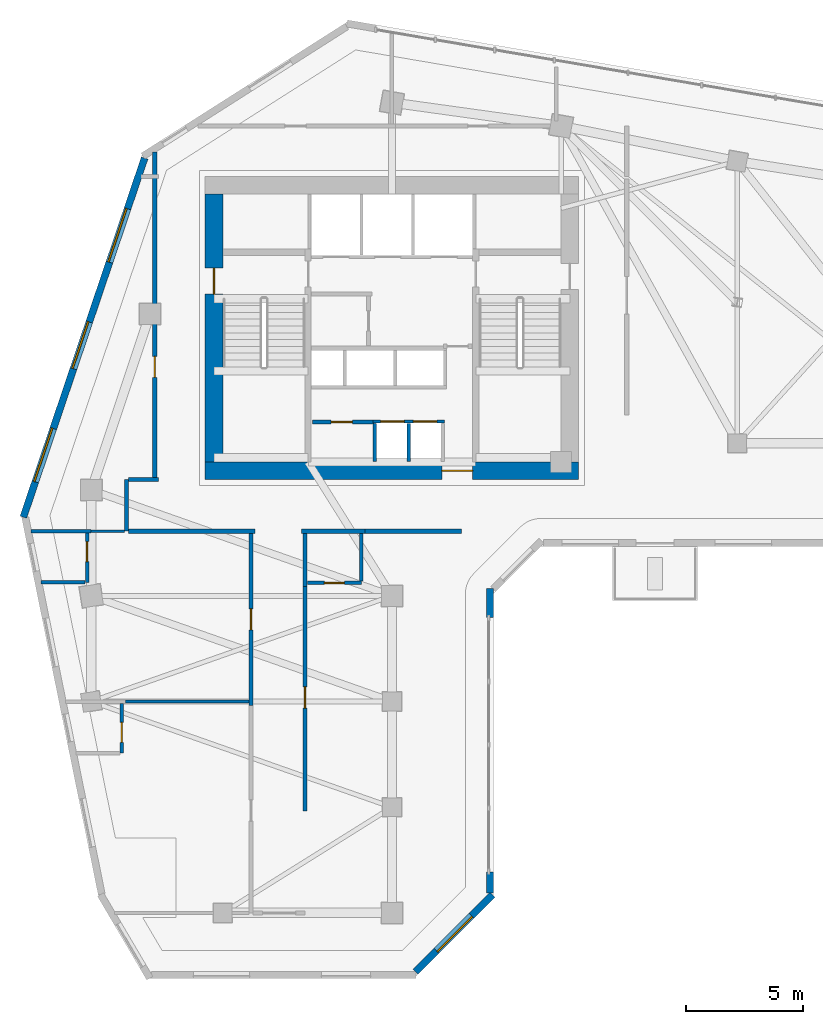
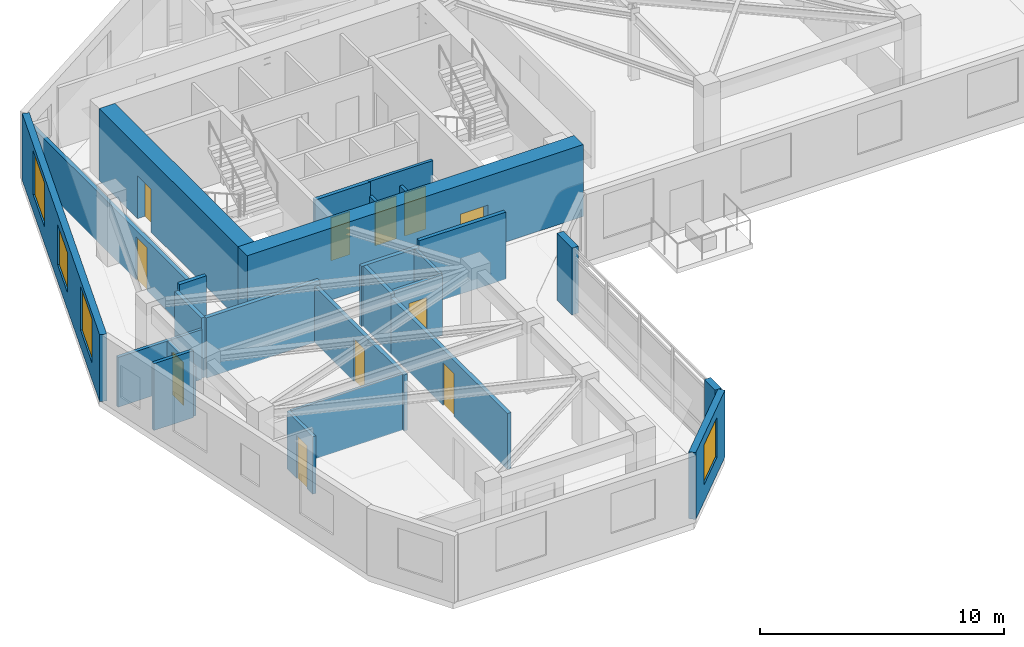
# One storey, part 5 of 10: 27 walls, 11 doors, 4 windows, 15 openings.
"""IFC4 building model written with IfcOpenShell, lengths in metres."""

from ifc_helpers import new_model, si_unit, direction, frame, frame_2d, origin, place, context, subcontext, project, spatial, rectangle, extrude, source, transform, mapped, material, layer, layer_set, type_object, element, fill, save


model = new_model("IFC4")

# Units and contexts
model_context = context("Model", 3, precision=1e-05, world=origin(), true_north=direction((0.0, 1.0)))
body_context = subcontext(model_context, "Body", "Model", "MODEL_VIEW")
ifc_project = project(units=[si_unit("LENGTHUNIT", "METRE"), si_unit("AREAUNIT", "SQUARE_METRE"), si_unit("VOLUMEUNIT", "CUBIC_METRE"), si_unit("PLANEANGLEUNIT", "RADIAN"), si_unit("MASSUNIT", "GRAM", prefix="KILO")], contexts=[model_context])

# Site, building, storey
site_placement = place(None, origin())
site = spatial("IfcSite", under=ifc_project, at=site_placement, CompositionType="ELEMENT")
building_placement = place(site_placement, origin())
building = spatial("IfcBuilding", under=site, at=building_placement, Name="Calvemar Wedge Station Tower", CompositionType="ELEMENT")
storey_placement = place(building_placement, frame((0.0, 0.0, 139.39990234375)))
storey = spatial("IfcBuildingStorey", under=building, at=storey_placement, Name="L34", CompositionType="ELEMENT", Elevation=139.39990234375)

# Wall, opening, door
ifc_material_1 = material(Name="Concrete C70", Category="concrete")
ifc_layer_1 = layer(ifc_material_1, 0.75)
ifc_layer_set_1 = layer_set([ifc_layer_1], Name="Concrete C70")
wall_type_1 = type_object("IfcWallType", Name="SW-CORE-750", PredefinedType="SHEAR", material=ifc_layer_set_1)
wall_1_placement = place(storey_placement, frame((15.85009765625, 33.824951171875, 0.0), z_axis=(0.0, 0.0, 1.0), x_axis=(1.0, 0.0, 0.0)))
wall_1 = element("IfcWall", 1, at=wall_1_placement, inside=storey, type_object=wall_type_1, Name="Storey L34 Core Shear Wall S", PredefinedType="SHEAR", context=body_context, shape_type="SweptSolid", body=[
    extrude(rectangle(XDim=15.89990234375, YDim=0.75, at=frame_2d((7.949951171875, 0.0))), origin(), (0.0, 0.0, 1.0), 3.60009765625),
])
shared_shape_1 = source(origin(), body_context, "Body", "SweptSolid", [
    extrude(rectangle(XDim=1.300048828125, YDim=2.14990234375, at=frame_2d((0.64990234375, 1.074951171875))), frame((0.0, 0.385009765625, 0.0), z_axis=(0.0, -1.0, 0.0), x_axis=(1.0, 0.0, 0.0)), (0.0, 0.0, 1.0), 0.77001953125),
])
opening_1_placement = place(wall_1_placement, frame((10.080078125, 0.0, 0.0)))
opening_1 = element("IfcOpeningElement", 2, at=opening_1_placement, cuts=wall_1, Name="Opening DD-130", PredefinedType="OPENING", context=body_context, shape_type="MappedRepresentation", body=[
    mapped(shared_shape_1, transform((0.0, 0.0, 0.0), scale=1.0)),
])
ifc_material_2 = material(Name="Double-leaf lift lobby fire door EI 60")
door_type_1 = type_object("IfcDoorType", Name="DR-DBL-1300", OperationType="DOUBLE_DOOR_SINGLE_SWING", PredefinedType="DOOR", material=ifc_material_2)
shared_shape_2 = source(origin(), body_context, "Body", "SweptSolid", [
    extrude(rectangle(XDim=1.300048828125, YDim=2.14990234375, at=frame_2d((0.64990234375, 1.074951171875))), frame((0.0, 0.02490234375, 0.0), z_axis=(0.0, -1.0, 0.0), x_axis=(1.0, 0.0, 0.0)), (0.0, 0.0, 1.0), 0.050048828125),
])
door_1_placement = place(opening_1_placement, origin())
door_1 = element("IfcDoor", 3, at=door_1_placement, inside=storey, type_object=door_type_1, Name="L34 Passenger Lift Lobby Door", OperationType="DOUBLE_DOOR_SINGLE_SWING", OverallHeight=2.14990234375, OverallWidth=1.300048828125, PredefinedType="DOOR", context=body_context, shape_type="MappedRepresentation", body=[
    mapped(shared_shape_2, transform((0.0, 0.0, 0.0), scale=1.0)),
])
fill(opening_1, door_1)

wall_2_placement = place(storey_placement, frame((16.22509765625, 34.199951171875, 0.0), z_axis=(0.0, 0.0, 1.0), x_axis=(0.0, 1.0, 0.0)))
wall_2 = element("IfcWall", 4, at=wall_2_placement, inside=storey, type_object=wall_type_1, Name="Storey L34 Core Shear Wall W", PredefinedType="SHEAR", context=body_context, shape_type="SweptSolid", body=[
    extrude(rectangle(XDim=11.400146484375, YDim=0.75, at=frame_2d((5.7001953125, 0.0))), origin(), (0.0, 0.0, 1.0), 3.60009765625),
])
shared_shape_3 = source(origin(), body_context, "Body", "SweptSolid", [
    extrude(rectangle(XDim=1.10009765625, YDim=2.14990234375, at=frame_2d((0.550048828125, 1.074951171875))), frame((0.0, 0.385009765625, 0.0), z_axis=(0.0, -1.0, 0.0), x_axis=(1.0, 0.0, 0.0)), (0.0, 0.0, 1.0), 0.77001953125),
])
opening_2_placement = place(wall_2_placement, frame((7.14990234375, 0.0, 0.0)))
opening_2 = element("IfcOpeningElement", 5, at=opening_2_placement, cuts=wall_2, Name="Opening FD-90", PredefinedType="OPENING", context=body_context, shape_type="MappedRepresentation", body=[
    mapped(shared_shape_3, transform((0.0, 0.0, 0.0), scale=1.0)),
])
ifc_material_3 = material(Name="Galvanized fire-rated steel door leaf P-90", Category="steel")
door_type_2 = type_object("IfcDoorType", Name="DR-FD90-1100", OperationType="NOTDEFINED", PredefinedType="DOOR", material=ifc_material_3)
shared_shape_4 = source(origin(), body_context, "Body", "SweptSolid", [
    extrude(rectangle(XDim=1.10009765625, YDim=2.14990234375, at=frame_2d((0.550048828125, 1.074951171875))), frame((0.0, 0.02490234375, 0.0), z_axis=(0.0, -1.0, 0.0), x_axis=(1.0, 0.0, 0.0)), (0.0, 0.0, 1.0), 0.050048828125),
])
door_2_placement = place(opening_2_placement, origin())
door_2 = element("IfcDoor", 6, at=door_2_placement, inside=storey, type_object=door_type_2, Name="L34 West Corridor to Exit Stair ST-C1 Door", OperationType="SINGLE_SWING_RIGHT", OverallHeight=2.14990234375, OverallWidth=1.10009765625, PredefinedType="DOOR", context=body_context, shape_type="MappedRepresentation", body=[
    mapped(shared_shape_4, transform((0.0, 0.0, 0.0), scale=1.0)),
])
fill(opening_2, door_2)

ifc_material_4 = material(Name="Double-stud fire-rated corridor partition")
ifc_layer_2 = layer(ifc_material_4, 0.179931640625)
ifc_layer_set_2 = layer_set([ifc_layer_2], Name="Double-stud fire-rated corridor partition")
wall_type_2 = type_object("IfcWallType", Name="W-CORR-180", PredefinedType="PARTITIONING", material=ifc_layer_set_2)
wall_3_placement = place(storey_placement, frame((20.419921875, 35.89990234375, 0.0), z_axis=(0.0, 0.0, 1.0), x_axis=(1.0, 0.0, 0.0)))
wall_3 = element("IfcWall", 7, at=wall_3_placement, inside=storey, type_object=wall_type_2, Name="Storey L34 Interior Partition WL-L34-004", PredefinedType="PARTITIONING", context=body_context, shape_type="SweptSolid", body=[
    extrude(rectangle(XDim=2.6201171875, YDim=0.179931640625, at=frame_2d((1.31005859375, 0.0))), origin(), (0.0, 0.0, 1.0), 3.35009765625),
])
shared_shape_5 = source(origin(), body_context, "Body", "SweptSolid", [
    extrude(rectangle(XDim=0.89990234375, YDim=2.14990234375, at=frame_2d((0.449951171875, 1.074951171875))), frame((0.0, 0.10009765625, 0.0), z_axis=(0.0, -1.0, 0.0), x_axis=(1.0, 0.0, 0.0)), (0.0, 0.0, 1.0), 0.199951171875),
])
opening_3_placement = place(wall_3_placement, frame((0.795654296875, 0.0, 0.0)))
opening_3 = element("IfcOpeningElement", 8, at=opening_3_placement, cuts=wall_3, Name="Opening FD-60", PredefinedType="OPENING", context=body_context, shape_type="MappedRepresentation", body=[
    mapped(shared_shape_5, transform((0.0, 0.0, 0.0), scale=1.0)),
])
ifc_material_5 = material(Name="Fire-rated acoustic timber-core entrance door EI 60", Category="wood")
door_type_3 = type_object("IfcDoorType", Name="DR-FD60-900", OperationType="NOTDEFINED", PredefinedType="DOOR", material=ifc_material_5)
shared_shape_6 = source(origin(), body_context, "Body", "SweptSolid", [
    extrude(rectangle(XDim=0.89990234375, YDim=2.14990234375, at=frame_2d((0.449951171875, 1.074951171875))), frame((0.0, 0.02490234375, 0.0), z_axis=(0.0, -1.0, 0.0), x_axis=(1.0, 0.0, 0.0)), (0.0, 0.0, 1.0), 0.050048828125),
])
door_3_placement = place(opening_3_placement, origin())
door_3 = element("IfcDoor", 9, at=door_3_placement, inside=storey, type_object=door_type_3, Name="L34 Housekeeping Store Door", OperationType="SINGLE_SWING_RIGHT", OverallHeight=2.14990234375, OverallWidth=0.89990234375, PredefinedType="DOOR", context=body_context, shape_type="MappedRepresentation", body=[
    mapped(shared_shape_6, transform((0.0, 0.0, 0.0), scale=1.0)),
])
fill(opening_3, door_3)

# Walls
wall_4_placement = place(storey_placement, frame((12.5, 31.25, 0.0), z_axis=(0.0, 0.0, 1.0), x_axis=(0.0, 1.0, 0.0)))
element("IfcWall", 10, at=wall_4_placement, inside=storey, type_object=wall_type_2, Name="Storey L34 Interior Partition WL-L34-005", PredefinedType="PARTITIONING", context=body_context, shape_type="SweptSolid", body=[
    extrude(rectangle(XDim=2.199951171875, YDim=0.179931640625, at=frame_2d((1.10009765625, 0.0))), origin(), (0.0, 0.0, 1.0), 3.01904296875),
])
wall_5_placement = place(storey_placement, frame((12.593994140625, 33.449951171875, 0.0), z_axis=(0.0, 0.0, 1.0), x_axis=(1.0, 0.0, 0.0)))
element("IfcWall", 11, at=wall_5_placement, inside=storey, type_object=wall_type_2, Name="Storey L34 Interior Partition WL-L34-006", PredefinedType="PARTITIONING", context=body_context, shape_type="SweptSolid", body=[
    extrude(rectangle(XDim=1.26611328125, YDim=0.179931640625, at=frame_2d((0.633056640625, 0.0))), origin(), (0.0, 0.0, 1.0), 3.35009765625),
])
wall_6_placement = place(storey_placement, frame((17.9599609375, 31.25, 0.0), z_axis=(0.0, 0.0, 1.0), x_axis=(-1.0, 0.0, 0.0)))
element("IfcWall", 12, at=wall_6_placement, inside=storey, type_object=wall_type_2, Name="Storey L34 Interior Partition WL-L34-007", PredefinedType="PARTITIONING", context=body_context, shape_type="SweptSolid", body=[
    extrude(rectangle(XDim=5.365966796875, YDim=0.179931640625, at=frame_2d((2.68310546875, 0.0))), origin(), (0.0, 0.0, 1.0), 3.01904296875),
])
wall_7_placement = place(storey_placement, frame((22.659912109375, 31.25, 0.0), z_axis=(0.0, 0.0, 1.0), x_axis=(-1.0, 0.0, 0.0)))
element("IfcWall", 13, at=wall_7_placement, inside=storey, type_object=wall_type_2, Name="Storey L34 Interior Partition WL-L34-008", PredefinedType="PARTITIONING", context=body_context, shape_type="SweptSolid", body=[
    extrude(rectangle(XDim=2.719970703125, YDim=0.179931640625, at=frame_2d((1.35986328125, 0.0))), origin(), (0.0, 0.0, 1.0), 3.01904296875),
])
wall_8_placement = place(storey_placement, frame((26.760009765625, 31.25, 0.0), z_axis=(0.0, 0.0, 1.0), x_axis=(-1.0, 0.0, 0.0)))
element("IfcWall", 14, at=wall_8_placement, inside=storey, type_object=wall_type_2, Name="Storey L34 Interior Partition WL-L34-009", PredefinedType="PARTITIONING", context=body_context, shape_type="SweptSolid", body=[
    extrude(rectangle(XDim=4.097900390625, YDim=0.179931640625, at=frame_2d((2.048828125, 0.0))), origin(), (0.0, 0.0, 1.0), 3.35009765625),
])

# Wall, opening, door
wall_9_placement = place(storey_placement, frame((13.699951171875, 33.5439453125, 0.0), z_axis=(0.0, 0.0, 1.0), x_axis=(0.0, 1.0, 0.0)))
wall_9 = element("IfcWall", 15, at=wall_9_placement, inside=storey, type_object=wall_type_2, Name="Storey L34 Interior Partition WL-L34-010", PredefinedType="PARTITIONING", context=body_context, shape_type="SweptSolid", body=[
    extrude(rectangle(XDim=13.860107421875, YDim=0.179931640625, at=frame_2d((6.93017578125, 0.0))), origin(), (0.0, 0.0, 1.0), 2.4921875),
])
opening_4_placement = place(wall_9_placement, frame((4.252685546875, 0.0, 0.0)))
opening_4 = element("IfcOpeningElement", 16, at=opening_4_placement, cuts=wall_9, Name="Opening D-01", PredefinedType="OPENING", context=body_context, shape_type="MappedRepresentation", body=[
    mapped(shared_shape_5, transform((0.0, 0.0, 0.0), scale=1.0)),
])
ifc_material_6 = material(Name="Architectural hardwood acoustic swing door", Category="wood")
door_type_4 = type_object("IfcDoorType", Name="DR-INT-900", OperationType="NOTDEFINED", PredefinedType="DOOR", material=ifc_material_6)
shared_shape_7 = source(origin(), body_context, "Body", "SweptSolid", [
    extrude(rectangle(XDim=0.89990234375, YDim=2.14990234375, at=frame_2d((0.449951171875, 1.074951171875))), frame((0.0, 0.02490234375, 0.0), z_axis=(0.0, -1.0, 0.0), x_axis=(1.0, 0.0, 0.0)), (0.0, 0.0, 1.0), 0.050048828125),
])
door_4_placement = place(opening_4_placement, origin())
door_4 = element("IfcDoor", 17, at=door_4_placement, inside=storey, type_object=door_type_4, Name="L34 Executive Lounge Door", OperationType="SINGLE_SWING_LEFT", OverallHeight=2.14990234375, OverallWidth=0.89990234375, PredefinedType="DOOR", context=body_context, shape_type="MappedRepresentation", body=[
    mapped(shared_shape_7, transform((0.0, 0.0, 0.0), scale=1.0)),
])
fill(opening_4, door_4)

wall_10_placement = place(storey_placement, frame((17.800048828125, 23.840087890625, 0.0), z_axis=(0.0, 0.0, 1.0), x_axis=(0.0, 1.0, 0.0)))
wall_10 = element("IfcWall", 18, at=wall_10_placement, inside=storey, type_object=wall_type_2, Name="Storey L34 Interior Partition WL-L34-022", PredefinedType="PARTITIONING", context=body_context, shape_type="SweptSolid", body=[
    extrude(rectangle(XDim=7.31591796875, YDim=0.179931640625, at=frame_2d((3.657958984375, 0.0))), origin(), (0.0, 0.0, 1.0), 2.802978515625),
])
opening_5_placement = place(wall_10_placement, frame((3.2080078125, 0.0, 0.0)))
opening_5 = element("IfcOpeningElement", 19, at=opening_5_placement, cuts=wall_10, Name="Opening FD-60", PredefinedType="OPENING", context=body_context, shape_type="MappedRepresentation", body=[
    mapped(shared_shape_5, transform((0.0, 0.0, 0.0), scale=1.0)),
])
door_5_placement = place(opening_5_placement, origin())
door_5 = element("IfcDoor", 20, at=door_5_placement, inside=storey, type_object=door_type_3, Name="L34 Hotel Suite Door", OperationType="SINGLE_SWING_RIGHT", OverallHeight=2.14990234375, OverallWidth=0.89990234375, PredefinedType="DOOR", context=body_context, shape_type="MappedRepresentation", body=[
    mapped(shared_shape_6, transform((0.0, 0.0, 0.0), scale=1.0)),
])
fill(opening_5, door_5)

# Wall
wall_11_placement = place(storey_placement, frame((20.10009765625, 31.156005859375, 0.0), z_axis=(0.0, 0.0, 1.0), x_axis=(0.0, -1.0, 0.0)))
element("IfcWall", 21, at=wall_11_placement, inside=storey, type_object=wall_type_2, Name="Storey L34 Interior Partition WL-L34-024", PredefinedType="PARTITIONING", context=body_context, shape_type="SweptSolid", body=[
    extrude(rectangle(XDim=2.26611328125, YDim=0.179931640625, at=frame_2d((1.133056640625, 0.0))), origin(), (0.0, 0.0, 1.0), 3.01904296875),
])

# Wall, opening, door
wall_12_placement = place(storey_placement, frame((20.10009765625, 28.887939453125, 0.0), z_axis=(0.0, 0.0, 1.0), x_axis=(0.0, -1.0, 0.0)))
wall_12 = element("IfcWall", 22, at=wall_12_placement, inside=storey, type_object=wall_type_2, Name="Storey L34 Interior Partition WL-L34-025", PredefinedType="PARTITIONING", context=body_context, shape_type="SweptSolid", body=[
    extrude(rectangle(XDim=9.5478515625, YDim=0.179931640625, at=frame_2d((4.77392578125, 0.0))), origin(), (0.0, 0.0, 1.0), 2.802978515625),
])
opening_6_placement = place(wall_12_placement, frame((4.263671875, 0.0, 0.0)))
opening_6 = element("IfcOpeningElement", 23, at=opening_6_placement, cuts=wall_12, Name="Opening FD-60", PredefinedType="OPENING", context=body_context, shape_type="MappedRepresentation", body=[
    mapped(shared_shape_5, transform((0.0, 0.0, 0.0), scale=1.0)),
])
door_6_placement = place(opening_6_placement, origin())
door_6 = element("IfcDoor", 24, at=door_6_placement, inside=storey, type_object=door_type_3, Name="L34 Hotel Suite Door", OperationType="SINGLE_SWING_RIGHT", OverallHeight=2.14990234375, OverallWidth=0.89990234375, PredefinedType="DOOR", context=body_context, shape_type="MappedRepresentation", body=[
    mapped(shared_shape_6, transform((0.0, 0.0, 0.0), scale=1.0)),
])
fill(opening_6, door_6)

# Wall, opening, window
ifc_material_7 = material(Name="Precast concrete C45", Category="concrete")
ifc_layer_3 = layer(ifc_material_7, 0.300048828125)
ifc_layer_set_3 = layer_set([ifc_layer_3], Name="Precast concrete C45")
wall_type_3 = type_object("IfcWallType", Name="W-EXT-GFRC-300", PredefinedType="SOLIDWALL", material=ifc_layer_set_3)
wall_13_placement = place(storey_placement, frame((24.803955078125, 12.488037109375, 0.0), z_axis=(0.0, 0.0, 1.0), x_axis=(0.70708046583, 0.707133095564, 0.0)))
wall_13 = element("IfcWall", 25, at=wall_13_placement, inside=storey, type_object=wall_type_3, Name="Storey L34 Bronze GFRC Exterior Wall 3", PredefinedType="SOLIDWALL", context=body_context, shape_type="SweptSolid", body=[
    extrude(rectangle(XDim=4.638916015625, YDim=0.300048828125, at=frame_2d((2.3193359375, 0.0))), origin(), (0.0, 0.0, 1.0), 3.35009765625),
])
shared_shape_8 = source(origin(), body_context, "Body", "SweptSolid", [
    extrude(rectangle(XDim=2.10009765625, YDim=2.0, at=frame_2d((1.050048828125, 1.0))), frame((0.0, 0.16015625, 0.0), z_axis=(0.0, -1.0, 0.0), x_axis=(1.0, 0.0, 0.0)), (0.0, 0.0, 1.0), 0.320068359375),
])
opening_7_placement = place(wall_13_placement, frame((1.26904296875, 0.0, 0.85009765625)))
opening_7 = element("IfcOpeningElement", 26, at=opening_7_placement, cuts=wall_13, Name="Opening W4", PredefinedType="OPENING", context=body_context, shape_type="MappedRepresentation", body=[
    mapped(shared_shape_8, transform((0.0, 0.0, 0.0), scale=1.0)),
])
ifc_material_8 = material(Name="Low-E laminated insulated glass", Category="glass")
window_type_1 = type_object("IfcWindowType", Name="WIN-EXT-4", PartitioningType="SINGLE_PANEL", PredefinedType="WINDOW", material=ifc_material_8)
shared_shape_9 = source(origin(), body_context, "Body", "SweptSolid", [
    extrude(rectangle(XDim=2.10009765625, YDim=2.0, at=frame_2d((1.050048828125, 1.0))), frame((0.0, -0.014892578125, 0.0), z_axis=(0.0, -1.0, 0.0), x_axis=(1.0, 0.0, 0.0)), (0.0, 0.0, 1.0), 0.06005859375),
])
window_1_placement = place(opening_7_placement, origin())
window_1 = element("IfcWindow", 27, at=window_1_placement, inside=storey, type_object=window_type_1, Name="Storey L34 Recessed Window 3.1", OverallHeight=2.0, OverallWidth=2.10009765625, PartitioningType="SINGLE_PANEL", PredefinedType="WINDOW", context=body_context, shape_type="MappedRepresentation", body=[
    mapped(shared_shape_9, transform((0.0, 0.0, 0.0), scale=1.0)),
])
fill(opening_7, window_1)

# Walls
wall_14_placement = place(storey_placement, frame((27.97802734375, 15.857421875, 0.0), z_axis=(0.0, 0.0, 1.0), x_axis=(0.0, 1.0, 0.0)))
element("IfcWall", 28, at=wall_14_placement, inside=storey, type_object=wall_type_3, Name="Storey L34 Bronze GFRC Corner Pier 4A", PredefinedType="SOLIDWALL", context=body_context, shape_type="SweptSolid", body=[
    extrude(rectangle(XDim=0.882080078125, YDim=0.300048828125, at=frame_2d((0.44091796875, 0.0))), origin(), (0.0, 0.0, 1.0), 3.35009765625),
])
wall_15_placement = place(storey_placement, frame((27.97802734375, 27.57666015625, 0.0), z_axis=(0.0, 0.0, 1.0), x_axis=(0.0, 1.0, 0.0)))
element("IfcWall", 29, at=wall_15_placement, inside=storey, type_object=wall_type_3, Name="Storey L34 Bronze GFRC Corner Pier 4B", PredefinedType="SOLIDWALL", context=body_context, shape_type="SweptSolid", body=[
    extrude(rectangle(XDim=1.2275390625, YDim=0.300048828125, at=frame_2d((0.61376953125, 0.0))), origin(), (0.0, 0.0, 1.0), 3.35009765625),
])

# Wall, openings, windows
wall_16_placement = place(storey_placement, frame((13.2685546875, 47.1337890625, 0.0), z_axis=(0.0, 0.0, 1.0), x_axis=(-0.319929773322, -0.947441259468, 0.0)))
wall_16 = element("IfcWall", 30, at=wall_16_placement, inside=storey, type_object=wall_type_3, Name="Storey L34 Bronze GFRC Exterior Wall 12", PredefinedType="SOLIDWALL", context=body_context, shape_type="SweptSolid", body=[
    extrude(rectangle(XDim=16.133544921875, YDim=0.300048828125, at=frame_2d((8.06689453125, 0.0))), origin(), (0.0, 0.0, 1.0), 3.35009765625),
])
shared_shape_10 = source(origin(), body_context, "Body", "SweptSolid", [
    extrude(rectangle(XDim=2.39990234375, YDim=2.199951171875, at=frame_2d((1.199951171875, 1.10009765625))), frame((0.0, 0.16015625, 0.0), z_axis=(0.0, -1.0, 0.0), x_axis=(1.0, 0.0, 0.0)), (0.0, 0.0, 1.0), 0.320068359375),
])
opening_8_placement = place(wall_16_placement, frame((2.27587890625, 0.0, 0.85009765625)))
opening_8 = element("IfcOpeningElement", 31, at=opening_8_placement, cuts=wall_16, Name="Opening W1", PredefinedType="OPENING", context=body_context, shape_type="MappedRepresentation", body=[
    mapped(shared_shape_10, transform((0.0, 0.0, 0.0), scale=1.0)),
])
opening_9_placement = place(wall_16_placement, frame((7.361083984375, 0.0, 0.85009765625)))
opening_9 = element("IfcOpeningElement", 32, at=opening_9_placement, cuts=wall_16, Name="Opening W4", PredefinedType="OPENING", context=body_context, shape_type="MappedRepresentation", body=[
    mapped(shared_shape_8, transform((0.0, 0.0, 0.0), scale=1.0)),
])
opening_10_placement = place(wall_16_placement, frame((12.14599609375, 0.0, 0.85009765625)))
opening_10 = element("IfcOpeningElement", 33, at=opening_10_placement, cuts=wall_16, Name="Opening W1", PredefinedType="OPENING", context=body_context, shape_type="MappedRepresentation", body=[
    mapped(shared_shape_10, transform((0.0, 0.0, 0.0), scale=1.0)),
])
window_2_placement = place(opening_9_placement, origin())
window_2 = element("IfcWindow", 34, at=window_2_placement, inside=storey, type_object=window_type_1, Name="Storey L34 Recessed Window 12.2", OverallHeight=2.0, OverallWidth=2.10009765625, PartitioningType="SINGLE_PANEL", PredefinedType="WINDOW", context=body_context, shape_type="MappedRepresentation", body=[
    mapped(shared_shape_9, transform((0.0, 0.0, 0.0), scale=1.0)),
])
fill(opening_9, window_2)
window_type_2 = type_object("IfcWindowType", Name="WIN-EXT-1", PartitioningType="SINGLE_PANEL", PredefinedType="WINDOW", material=ifc_material_8)
shared_shape_11 = source(origin(), body_context, "Body", "SweptSolid", [
    extrude(rectangle(XDim=2.39990234375, YDim=2.199951171875, at=frame_2d((1.199951171875, 1.10009765625))), frame((0.0, -0.014892578125, 0.0), z_axis=(0.0, -1.0, 0.0), x_axis=(1.0, 0.0, 0.0)), (0.0, 0.0, 1.0), 0.06005859375),
])
window_3_placement = place(opening_8_placement, origin())
window_3 = element("IfcWindow", 35, at=window_3_placement, inside=storey, type_object=window_type_2, Name="Storey L34 Recessed Window 12.1", OverallHeight=2.199951171875, OverallWidth=2.39990234375, PartitioningType="SINGLE_PANEL", PredefinedType="WINDOW", context=body_context, shape_type="MappedRepresentation", body=[
    mapped(shared_shape_11, transform((0.0, 0.0, 0.0), scale=1.0)),
])
fill(opening_8, window_3)
window_4_placement = place(opening_10_placement, origin())
window_4 = element("IfcWindow", 36, at=window_4_placement, inside=storey, type_object=window_type_2, Name="Storey L34 Recessed Window 12.3", OverallHeight=2.199951171875, OverallWidth=2.39990234375, PartitioningType="SINGLE_PANEL", PredefinedType="WINDOW", context=body_context, shape_type="MappedRepresentation", body=[
    mapped(shared_shape_11, transform((0.0, 0.0, 0.0), scale=1.0)),
])
fill(opening_10, window_4)

# Wall, openings, doors
ifc_material_9 = material(Name="Reinforced concrete blockwork lift shaft wall", Category="masonry")
ifc_layer_4 = layer(ifc_material_9, 0.139892578125)
ifc_layer_set_4 = layer_set([ifc_layer_4], Name="Reinforced concrete blockwork lift shaft wall")
wall_type_4 = type_object("IfcWallType", Name="W-LIFT-160", PredefinedType="SOLIDWALL", material=ifc_layer_set_4)
wall_17_placement = place(storey_placement, frame((23.0, 35.919921875, 0.0), z_axis=(0.0, 0.0, 1.0), x_axis=(1.0, 0.0, 0.0)))
wall_17 = element("IfcWall", 37, at=wall_17_placement, inside=storey, type_object=wall_type_4, Name="Storey L34 South Passenger Lift Bank Front Wall", PredefinedType="SOLIDWALL", context=body_context, shape_type="SweptSolid", body=[
    extrude(rectangle(XDim=3.030029296875, YDim=0.139892578125, at=frame_2d((1.51513671875, 0.0))), origin(), (0.0, 0.0, 1.0), 3.35009765625),
])
shared_shape_12 = source(origin(), body_context, "Body", "SweptSolid", [
    extrude(rectangle(XDim=1.0, YDim=2.14990234375, at=frame_2d((0.5, 1.074951171875))), frame((0.0, 0.080078125, 0.0), z_axis=(0.0, -1.0, 0.0), x_axis=(1.0, 0.0, 0.0)), (0.0, 0.0, 1.0), 0.159912109375),
])
opening_11_placement = place(wall_17_placement, frame((0.320068359375, 0.0, 0.0)))
opening_11 = element("IfcOpeningElement", 38, at=opening_11_placement, cuts=wall_17, Name="Opening LD-PAX", PredefinedType="OPENING", context=body_context, shape_type="MappedRepresentation", body=[
    mapped(shared_shape_12, transform((0.0, 0.0, 0.0), scale=1.0)),
])
opening_12_placement = place(wall_17_placement, frame((1.7099609375, 0.0, 0.0)))
opening_12 = element("IfcOpeningElement", 39, at=opening_12_placement, cuts=wall_17, Name="Opening LD-PAX", PredefinedType="OPENING", context=body_context, shape_type="MappedRepresentation", body=[
    mapped(shared_shape_12, transform((0.0, 0.0, 0.0), scale=1.0)),
])
ifc_material_10 = material(Name="Anodised bronze passenger lift sliding landing door")
door_type_5 = type_object("IfcDoorType", Name="DR-LD-PAX-1000", OperationType="SLIDING_TO_LEFT", PredefinedType="DOOR", material=ifc_material_10)
shared_shape_13 = source(origin(), body_context, "Body", "SweptSolid", [
    extrude(rectangle(XDim=1.0, YDim=2.14990234375, at=frame_2d((0.5, 1.074951171875))), frame((0.0, 0.02490234375, 0.0), z_axis=(0.0, -1.0, 0.0), x_axis=(1.0, 0.0, 0.0)), (0.0, 0.0, 1.0), 0.050048828125),
])
door_7_placement = place(opening_11_placement, origin())
door_7 = element("IfcDoor", 40, at=door_7_placement, inside=storey, type_object=door_type_5, Name="L34 Lift HL-01 Sliding Landing Door", OperationType="SLIDING_TO_LEFT", OverallHeight=2.14990234375, OverallWidth=1.0, PredefinedType="DOOR", context=body_context, shape_type="MappedRepresentation", body=[
    mapped(shared_shape_13, transform((0.0, 0.0, 0.0), scale=1.0)),
])
fill(opening_11, door_7)
door_8_placement = place(opening_12_placement, origin())
door_8 = element("IfcDoor", 41, at=door_8_placement, inside=storey, type_object=door_type_5, Name="L34 Lift HL-02 Sliding Landing Door", OperationType="SLIDING_TO_RIGHT", OverallHeight=2.14990234375, OverallWidth=1.0, PredefinedType="DOOR", context=body_context, shape_type="MappedRepresentation", body=[
    mapped(shared_shape_13, transform((0.0, 0.0, 0.0), scale=1.0)),
])
fill(opening_12, door_8)

# Walls
for number, where, z_axis, x_axis, name in (
    (42, (23.070068359375, 34.219970703125, 0.0), (0.0, 0.0, 1.0), (0.0, 1.0, 0.0), "Storey L34 South Passenger Lift Shaft Wall W"),
    (43, (24.514892578125, 34.219970703125, 0.0), (0.0, 0.0, 1.0), (0.0, 1.0, 0.0), "Storey L34 South Passenger Lift Shaft Wall D1"),
):
    element("IfcWall", number, at=place(storey_placement, frame(where, z_axis=z_axis, x_axis=x_axis)), inside=storey, type_object=wall_type_4, Name=name, PredefinedType="SOLIDWALL", context=body_context, shape_type="SweptSolid", body=[
        extrude(rectangle(XDim=1.6201171875, YDim=0.139892578125, at=frame_2d((0.81005859375, 0.0))), origin(), (0.0, 0.0, 1.0), 2.64208984375),
    ])
ifc_material_11 = material(Name="Insulated acoustic gypsum stud partition")
ifc_layer_5 = layer(ifc_material_11, 0.125)
ifc_layer_set_5 = layer_set([ifc_layer_5], Name="Insulated acoustic gypsum stud partition")
wall_type_5 = type_object("IfcWallType", Name="W-PART-125", PredefinedType="PARTITIONING", material=ifc_layer_set_5)
wall_18_placement = place(storey_placement, frame((12.406005859375, 31.25, 0.0), z_axis=(0.0, 0.0, 1.0), x_axis=(-1.0, 0.0, 0.0)))
element("IfcWall", 44, at=wall_18_placement, inside=storey, type_object=wall_type_5, Name="Storey L34 Interior Partition WL-L34-017", PredefinedType="PARTITIONING", context=body_context, shape_type="SweptSolid", body=[
    extrude(rectangle(XDim=1.425537109375, YDim=0.125, at=frame_2d((0.712890625, 0.0))), origin(), (0.0, 0.0, 1.0), 2.4921875),
])
wall_19_placement = place(storey_placement, frame((17.7060546875, 24.0, 0.0), z_axis=(0.0, 0.0, 1.0), x_axis=(-1.0, 0.0, 0.0)))
element("IfcWall", 45, at=wall_19_placement, inside=storey, type_object=wall_type_5, Name="Storey L34 Interior Partition WL-L34-030", PredefinedType="PARTITIONING", context=body_context, shape_type="SweptSolid", body=[
    extrude(rectangle(XDim=5.250244140625, YDim=0.125, at=frame_2d((2.625, 0.0))), origin(), (0.0, 0.0, 1.0), 2.802978515625),
])
ifc_material_12 = material(Name="Moisture-resistant acoustic bathroom partition")
ifc_layer_6 = layer(ifc_material_12, 0.14990234375)
ifc_layer_set_6 = layer_set([ifc_layer_6], Name="Moisture-resistant acoustic bathroom partition")
wall_type_6 = type_object("IfcWallType", Name="W-WET-150", PredefinedType="PARTITIONING", material=ifc_layer_set_6)
wall_20_placement = place(storey_placement, frame((10.978515625, 31.25, 0.0), z_axis=(0.0, 0.0, 1.0), x_axis=(-1.0, 0.0, 0.0)))
element("IfcWall", 46, at=wall_20_placement, inside=storey, type_object=wall_type_6, Name="Storey L34 Interior Partition WL-L34-016", PredefinedType="PARTITIONING", context=body_context, shape_type="SweptSolid", body=[
    extrude(rectangle(XDim=2.555908203125, YDim=0.14990234375, at=frame_2d((1.27783203125, 0.0))), origin(), (0.0, 0.0, 1.0), 2.4921875),
])

# Wall, opening, door
wall_21_placement = place(storey_placement, frame((10.818603515625, 31.1708984375, 0.0), z_axis=(0.0, 0.0, 1.0), x_axis=(0.0, -1.0, 0.0)))
wall_21 = element("IfcWall", 47, at=wall_21_placement, inside=storey, type_object=wall_type_6, Name="Storey L34 Interior Partition WL-L34-027", PredefinedType="PARTITIONING", context=body_context, shape_type="SweptSolid", body=[
    extrude(rectangle(XDim=2.100830078125, YDim=0.14990234375, at=frame_2d((1.05029296875, 0.0))), origin(), (0.0, 0.0, 1.0), 2.4921875),
])
shared_shape_14 = source(origin(), body_context, "Body", "SweptSolid", [
    extrude(rectangle(XDim=0.85009765625, YDim=2.14990234375, at=frame_2d((0.425048828125, 1.074951171875))), frame((0.0, 0.0849609375, 0.0), z_axis=(0.0, -1.0, 0.0), x_axis=(1.0, 0.0, 0.0)), (0.0, 0.0, 1.0), 0.169921875),
])
opening_13_placement = place(wall_21_placement, frame((0.366455078125, 0.0, 0.0)))
opening_13 = element("IfcOpeningElement", 48, at=opening_13_placement, cuts=wall_21, Name="Opening D-02", PredefinedType="OPENING", context=body_context, shape_type="MappedRepresentation", body=[
    mapped(shared_shape_14, transform((0.0, 0.0, 0.0), scale=1.0)),
])
ifc_material_13 = material(Name="Moisture-sealed bathroom hardwood swing door", Category="wood")
door_type_6 = type_object("IfcDoorType", Name="DR-WET-850", OperationType="NOTDEFINED", PredefinedType="DOOR", material=ifc_material_13)
shared_shape_15 = source(origin(), body_context, "Body", "SweptSolid", [
    extrude(rectangle(XDim=0.85009765625, YDim=2.14990234375, at=frame_2d((0.425048828125, 1.074951171875))), frame((0.0, 0.02490234375, 0.0), z_axis=(0.0, -1.0, 0.0), x_axis=(1.0, 0.0, 0.0)), (0.0, 0.0, 1.0), 0.050048828125),
])
door_9_placement = place(opening_13_placement, origin())
door_9 = element("IfcDoor", 49, at=door_9_placement, inside=storey, type_object=door_type_6, Name="L34 En-Suite Bathroom Door", OperationType="SINGLE_SWING_LEFT", OverallHeight=2.14990234375, OverallWidth=0.85009765625, PredefinedType="DOOR", context=body_context, shape_type="MappedRepresentation", body=[
    mapped(shared_shape_15, transform((0.0, 0.0, 0.0), scale=1.0)),
])
fill(opening_13, door_9)

# Wall
wall_22_placement = place(storey_placement, frame((10.739501953125, 29.070068359375, 0.0), z_axis=(0.0, 0.0, 1.0), x_axis=(-1.0, 0.0, 0.0)))
element("IfcWall", 50, at=wall_22_placement, inside=storey, type_object=wall_type_6, Name="Storey L34 Interior Partition WL-L34-028", PredefinedType="PARTITIONING", context=body_context, shape_type="SweptSolid", body=[
    extrude(rectangle(XDim=1.87451171875, YDim=0.14990234375, at=frame_2d((0.937255859375, 0.0))), origin(), (0.0, 0.0, 1.0), 3.35009765625),
])

# Wall, opening, door
wall_23_placement = place(storey_placement, frame((12.293701171875, 23.9208984375, 0.0), z_axis=(0.0, 0.0, 1.0), x_axis=(0.0, -1.0, 0.0)))
wall_23 = element("IfcWall", 51, at=wall_23_placement, inside=storey, type_object=wall_type_6, Name="Storey L34 Interior Partition WL-L34-031", PredefinedType="PARTITIONING", context=body_context, shape_type="SweptSolid", body=[
    extrude(rectangle(XDim=2.120849609375, YDim=0.14990234375, at=frame_2d((1.060546875, 0.0))), origin(), (0.0, 0.0, 1.0), 2.879150390625),
])
opening_14_placement = place(wall_23_placement, frame((0.813232421875, 0.0, 0.0)))
opening_14 = element("IfcOpeningElement", 52, at=opening_14_placement, cuts=wall_23, Name="Opening D-02", PredefinedType="OPENING", context=body_context, shape_type="MappedRepresentation", body=[
    mapped(shared_shape_14, transform((0.0, 0.0, 0.0), scale=1.0)),
])
door_10_placement = place(opening_14_placement, origin())
door_10 = element("IfcDoor", 53, at=door_10_placement, inside=storey, type_object=door_type_6, Name="L34 En-Suite Bathroom Door", OperationType="SINGLE_SWING_LEFT", OverallHeight=2.14990234375, OverallWidth=0.85009765625, PredefinedType="DOOR", context=body_context, shape_type="MappedRepresentation", body=[
    mapped(shared_shape_15, transform((0.0, 0.0, 0.0), scale=1.0)),
])
fill(opening_14, door_10)

wall_24_placement = place(storey_placement, frame((22.5, 29.050048828125, 0.0), z_axis=(0.0, 0.0, 1.0), x_axis=(-1.0, 0.0, 0.0)))
wall_24 = element("IfcWall", 54, at=wall_24_placement, inside=storey, type_object=wall_type_6, Name="Storey L34 Interior Partition WL-L34-034", PredefinedType="PARTITIONING", context=body_context, shape_type="SweptSolid", body=[
    extrude(rectangle(XDim=2.305908203125, YDim=0.14990234375, at=frame_2d((1.15283203125, 0.0))), origin(), (0.0, 0.0, 1.0), 3.01904296875),
])
opening_15_placement = place(wall_24_placement, frame((0.72802734375, 0.0, 0.0)))
opening_15 = element("IfcOpeningElement", 55, at=opening_15_placement, cuts=wall_24, Name="Opening D-02", PredefinedType="OPENING", context=body_context, shape_type="MappedRepresentation", body=[
    mapped(shared_shape_14, transform((0.0, 0.0, 0.0), scale=1.0)),
])
door_11_placement = place(opening_15_placement, origin())
door_11 = element("IfcDoor", 56, at=door_11_placement, inside=storey, type_object=door_type_6, Name="L34 En-Suite Bathroom Door", OperationType="SINGLE_SWING_LEFT", OverallHeight=2.14990234375, OverallWidth=0.85009765625, PredefinedType="DOOR", context=body_context, shape_type="MappedRepresentation", body=[
    mapped(shared_shape_15, transform((0.0, 0.0, 0.0), scale=1.0)),
])
fill(opening_15, door_11)

# Wall
wall_25_placement = place(storey_placement, frame((22.5, 31.156005859375, 0.0), z_axis=(0.0, 0.0, 1.0), x_axis=(0.0, -1.0, 0.0)))
element("IfcWall", 57, at=wall_25_placement, inside=storey, type_object=wall_type_6, Name="Storey L34 Interior Partition WL-L34-035", PredefinedType="PARTITIONING", context=body_context, shape_type="SweptSolid", body=[
    extrude(rectangle(XDim=2.027099609375, YDim=0.14990234375, at=frame_2d((1.013671875, 0.0))), origin(), (0.0, 0.0, 1.0), 3.01904296875),
])

save(model, "model.ifc")
